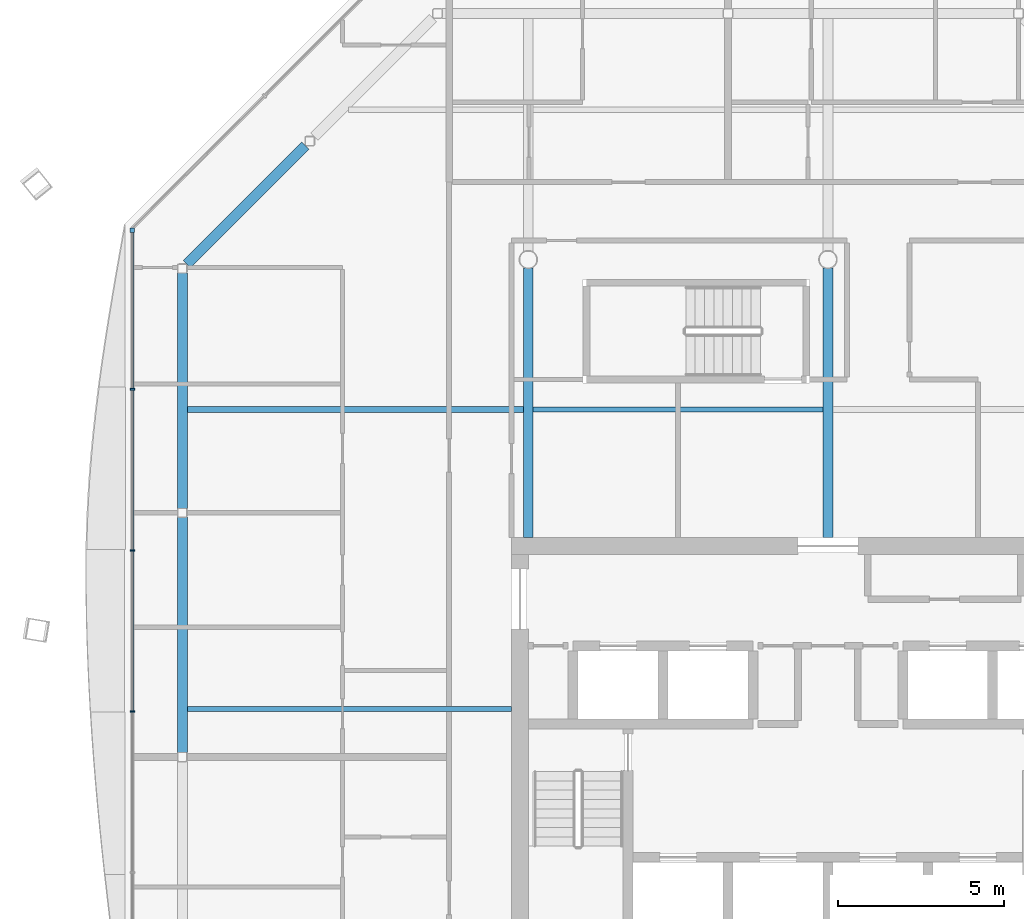
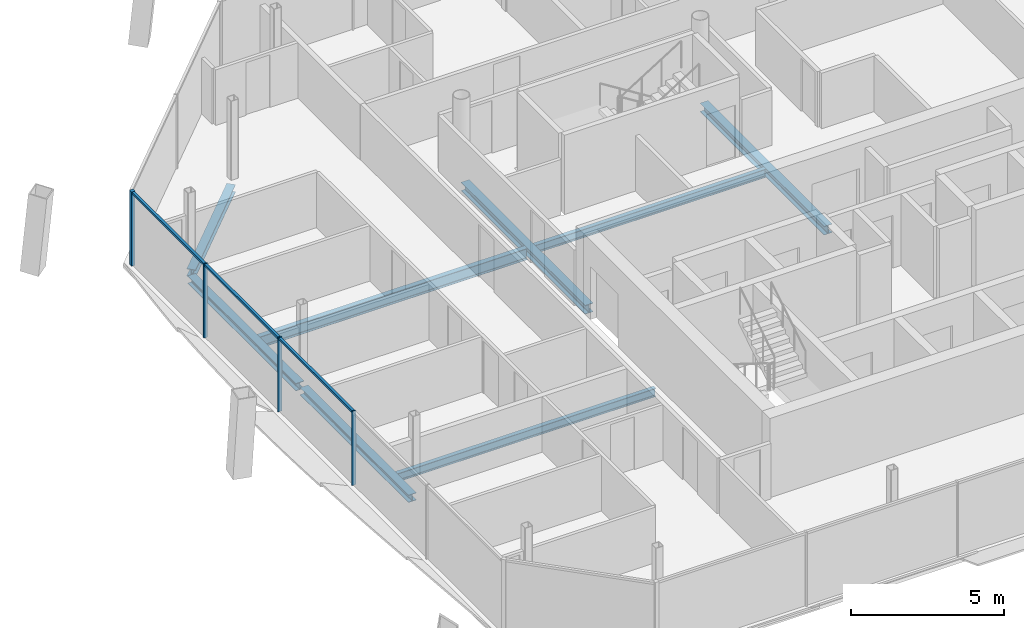
# One storey, part 5 of 15: 8 beams, 7 members, 1 element without a shape of its own.
"""IFC4 building model written with IfcOpenShell, lengths in metres."""

from ifc_helpers import new_model, si_unit, direction, frame, origin, origin_2d, place, context, subcontext, project, spatial, rectangle, i_section, extrude, material, material_profile, profile_set, type_object, element, aggregate, save


model = new_model("IFC4")

# Units and contexts
model_context = context("Model", 3, precision=1e-05, world=origin(), true_north=direction((0.0, 1.0)))
body_context = subcontext(model_context, "Body", "Model", "MODEL_VIEW")
ifc_project = project(units=[si_unit("LENGTHUNIT", "METRE"), si_unit("AREAUNIT", "SQUARE_METRE"), si_unit("VOLUMEUNIT", "CUBIC_METRE"), si_unit("PLANEANGLEUNIT", "RADIAN"), si_unit("MASSUNIT", "GRAM", prefix="KILO")], contexts=[model_context])

# Site, building, storey
site_placement = place(None, origin())
site = spatial("IfcSite", under=ifc_project, at=site_placement, CompositionType="ELEMENT")
building_placement = place(site_placement, origin())
building = spatial("IfcBuilding", under=site, at=building_placement, Name="Tskaro Facet Tower", CompositionType="ELEMENT")
storey_placement = place(building_placement, frame((0.0, 0.0, 239.25)))
storey = spatial("IfcBuildingStorey", under=building, at=storey_placement, Name="L62", CompositionType="ELEMENT", Elevation=239.25)

# Curtain wall, members
ifc_material_1 = material(Name="Bronze anodised aluminium 6063-T6", Category="aluminium")
curtain_wall_type = type_object("IfcCurtainWallType", Name="Bronze residence curtain wall (FW3)", PredefinedType="NOTDEFINED", material=ifc_material_1)
curtain_wall_placement = place(storey_placement, origin())
curtain_wall = element("IfcCurtainWall", 1, at=curtain_wall_placement, inside=storey, type_object=curtain_wall_type, Name="FW3 west facet L62", PredefinedType="NOTDEFINED")
ifc_material_profile_1 = material_profile(ifc_material_1, rectangle(XDim=0.139892578125, YDim=0.139892578125, at=origin_2d()), Name="Corner post 140x140")
ifc_profile_set_1 = profile_set([ifc_material_profile_1], Name="Bronze anodised aluminium 6063-T6")
member_type_1 = type_object("IfcMemberType", Name="FW3 bronze corner post 140x140", PredefinedType="MULLION", material=ifc_profile_set_1)
member_1_placement = place(storey_placement, frame((-20.888916015625, 9.8779296875, 0.0), z_axis=(0.0, 0.0, 1.0), x_axis=(0.0, -1.0, 0.0)))
member_1 = element("IfcMember", 2, at=member_1_placement, type_object=member_type_1, Name="FW3 west corner post", PredefinedType="MULLION", context=body_context, shape_type="SweptSolid", body=[
    extrude(rectangle(XDim=0.139892578125, YDim=0.139892578125, at=origin_2d()), origin(), (0.0, 0.0, 1.0), 2.949951171875),
])
ifc_material_profile_2 = material_profile(ifc_material_1, rectangle(XDim=0.050048828125, YDim=0.139892578125, at=origin_2d()), Name="Mullion 50x140")
ifc_profile_set_2 = profile_set([ifc_material_profile_2], Name="Bronze anodised aluminium 6063-T6")
member_type_2 = type_object("IfcMemberType", Name="FW3 bronze mullion 50x140", PredefinedType="MULLION", material=ifc_profile_set_2)
member_2_placement = place(storey_placement, frame((-20.888916015625, 5.10791015625, 0.0), z_axis=(0.0, 0.0, 1.0), x_axis=(0.0, -1.0, 0.0)))
member_2 = element("IfcMember", 3, at=member_2_placement, type_object=member_type_2, Name="FW3 west mullion 1", PredefinedType="MULLION", context=body_context, shape_type="SweptSolid", body=[
    extrude(rectangle(XDim=0.050048828125, YDim=0.139892578125, at=origin_2d()), origin(), (0.0, 0.0, 1.0), 2.949951171875),
])
member_3_placement = place(storey_placement, frame((-20.888916015625, 0.267578125, 0.0), z_axis=(0.0, 0.0, 1.0), x_axis=(0.0, -1.0, 0.0)))
member_3 = element("IfcMember", 4, at=member_3_placement, type_object=member_type_2, Name="FW3 west mullion 2", PredefinedType="MULLION", context=body_context, shape_type="SweptSolid", body=[
    extrude(rectangle(XDim=0.050048828125, YDim=0.139892578125, at=origin_2d()), origin(), (0.0, 0.0, 1.0), 2.949951171875),
])
member_4_placement = place(storey_placement, frame((-20.888916015625, -4.572509765625, 0.0), z_axis=(0.0, 0.0, 1.0), x_axis=(0.0, -1.0, 0.0)))
member_4 = element("IfcMember", 5, at=member_4_placement, type_object=member_type_2, Name="FW3 west mullion 3", PredefinedType="MULLION", context=body_context, shape_type="SweptSolid", body=[
    extrude(rectangle(XDim=0.050048828125, YDim=0.139892578125, at=origin_2d()), origin(), (0.0, 0.0, 1.0), 2.949951171875),
])
ifc_material_profile_3 = material_profile(ifc_material_1, rectangle(XDim=0.10009765625, YDim=0.090087890625, at=origin_2d()), Name="Transom 100x90")
ifc_profile_set_3 = profile_set([ifc_material_profile_3], Name="Bronze anodised aluminium 6063-T6")
member_type_3 = type_object("IfcMemberType", Name="FW3 bronze transom 100x90", PredefinedType="USERDEFINED", material=ifc_profile_set_3)
member_5_placement = place(storey_placement, frame((-20.888916015625, 9.80810546875, 2.905029296875), z_axis=(0.0, -1.0, 0.0), x_axis=(1.0, 0.0, 0.0)))
member_5 = element("IfcMember", 6, at=member_5_placement, type_object=member_type_3, Name="FW3 west transom 1.1", ObjectType="TRANSOM", PredefinedType="USERDEFINED", context=body_context, shape_type="SweptSolid", body=[
    extrude(rectangle(XDim=0.10009765625, YDim=0.090087890625, at=origin_2d()), origin(), (0.0, 0.0, 1.0), 4.67529296875),
])
member_6_placement = place(storey_placement, frame((-20.888916015625, 5.082763671875, 2.905029296875), z_axis=(0.0, -1.0, 0.0), x_axis=(1.0, 0.0, 0.0)))
member_6 = element("IfcMember", 7, at=member_6_placement, type_object=member_type_3, Name="FW3 west transom 2.1", ObjectType="TRANSOM", PredefinedType="USERDEFINED", context=body_context, shape_type="SweptSolid", body=[
    extrude(rectangle(XDim=0.10009765625, YDim=0.090087890625, at=origin_2d()), origin(), (0.0, 0.0, 1.0), 4.790283203125),
])
member_7_placement = place(storey_placement, frame((-20.888916015625, 0.24267578125, 2.905029296875), z_axis=(0.0, -1.0, 0.0), x_axis=(1.0, 0.0, 0.0)))
member_7 = element("IfcMember", 8, at=member_7_placement, type_object=member_type_3, Name="FW3 west transom 3.1", ObjectType="TRANSOM", PredefinedType="USERDEFINED", context=body_context, shape_type="SweptSolid", body=[
    extrude(rectangle(XDim=0.10009765625, YDim=0.090087890625, at=origin_2d()), origin(), (0.0, 0.0, 1.0), 4.790283203125),
])
aggregate(curtain_wall, [member_1, member_2, member_3, member_4, member_5, member_6, member_7])

# Beams
ifc_material_2 = material(Name="Steel S355J2", Category="steel")
ifc_material_profile_4 = material_profile(ifc_material_2, i_section(OverallWidth=0.300048828125, OverallDepth=0.300048828125, WebThickness=0.010986328125, FlangeThickness=0.01904296875, FilletRadius=0.027099609375, at=origin_2d()), Name="HE 300 B")
ifc_profile_set_4 = profile_set([ifc_material_profile_4], Name="Steel S355J2")
beam_type_1 = type_object("IfcBeamType", Name="HE 300 B ring beam", PredefinedType="BEAM", material=ifc_profile_set_4)
beam_1_placement = place(storey_placement, frame((-15.69384765625, 12.422119140625, -0.2900390625), z_axis=(-0.707106781187, -0.707106781187, 0.0), x_axis=(0.707106781187, -0.707106781187, 0.0)))
element("IfcBeam", 9, at=beam_1_placement, inside=storey, type_object=beam_type_1, Name="HE 300 B EB13-5", PredefinedType="BEAM", context=body_context, shape_type="SweptSolid", body=[
    extrude(i_section(OverallWidth=0.300048828125, OverallDepth=0.300048828125, WebThickness=0.010986328125, FlangeThickness=0.01904296875, FilletRadius=0.027099609375, at=origin_2d()), origin(), (0.0, 0.0, 1.0), 5.036376953125),
])
beam_2_placement = place(storey_placement, frame((-19.39111328125, 8.594970703125, -0.2900390625), z_axis=(0.0, -1.0, 0.0), x_axis=(1.0, 0.0, 0.0)))
element("IfcBeam", 10, at=beam_2_placement, inside=storey, type_object=beam_type_1, Name="HE 300 B EB14-5", PredefinedType="BEAM", context=body_context, shape_type="SweptSolid", body=[
    extrude(i_section(OverallWidth=0.300048828125, OverallDepth=0.300048828125, WebThickness=0.010986328125, FlangeThickness=0.01904296875, FilletRadius=0.027099609375, at=origin_2d()), origin(), (0.0, 0.0, 1.0), 7.071044921875),
])
beam_3_placement = place(storey_placement, frame((-19.39111328125, 1.263916015625, -0.2900390625), z_axis=(0.0, -1.0, 0.0), x_axis=(1.0, 0.0, 0.0)))
element("IfcBeam", 11, at=beam_3_placement, inside=storey, type_object=beam_type_1, Name="HE 300 B EB15-5", PredefinedType="BEAM", context=body_context, shape_type="SweptSolid", body=[
    extrude(i_section(OverallWidth=0.300048828125, OverallDepth=0.300048828125, WebThickness=0.010986328125, FlangeThickness=0.01904296875, FilletRadius=0.027099609375, at=origin_2d()), origin(), (0.0, 0.0, 1.0), 7.07080078125),
])
ifc_material_profile_5 = material_profile(ifc_material_2, i_section(OverallWidth=0.300048828125, OverallDepth=0.35009765625, WebThickness=0.010009765625, FlangeThickness=0.017578125, FilletRadius=0.027099609375, at=origin_2d()), Name="HE 360 A")
ifc_profile_set_5 = profile_set([ifc_material_profile_5], Name="Steel S355J2")
beam_type_2 = type_object("IfcBeamType", Name="HE 360 A girder", PredefinedType="BEAM", material=ifc_profile_set_5)
for number, where, z_axis, x_axis, name in (
    (12, (-9.0, 0.64990234375, -0.31494140625), (0.0, 1.0, 0.0), (-1.0, 0.0, 0.0), "HE 360 A GB3-2-5"),
    (13, (0.0, 0.64990234375, -0.31494140625), (0.0, 1.0, 0.0), (-1.0, 0.0, 0.0), "HE 360 A GB4-2-5"),
):
    element("IfcBeam", number, at=place(storey_placement, frame(where, z_axis=z_axis, x_axis=x_axis)), inside=storey, type_object=beam_type_2, Name=name, PredefinedType="BEAM", context=body_context, shape_type="SweptSolid", body=[
        extrude(i_section(OverallWidth=0.300048828125, OverallDepth=0.35009765625, WebThickness=0.010009765625, FlangeThickness=0.017578125, FilletRadius=0.027099609375, at=origin_2d()), origin(), (0.0, 0.0, 1.0), 8.1005859375),
    ])
ifc_material_profile_6 = material_profile(ifc_material_2, i_section(OverallWidth=0.159912109375, OverallDepth=0.330078125, WebThickness=0.007568359375, FlangeThickness=0.011474609375, FilletRadius=0.01806640625, at=origin_2d()), Name="IPE 330")
ifc_profile_set_6 = profile_set([ifc_material_profile_6], Name="Steel S355J2")
beam_type_3 = type_object("IfcBeamType", Name="IPE 330 secondary beam", PredefinedType="BEAM", material=ifc_profile_set_6)
beam_4_placement = place(storey_placement, frame((-19.240966796875, -4.5, -0.304931640625), z_axis=(1.0, 0.0, 0.0), x_axis=(0.0, 1.0, 0.0)))
element("IfcBeam", 14, at=beam_4_placement, inside=storey, type_object=beam_type_3, Name="IPE 330 SB3a-1-5", PredefinedType="BEAM", context=body_context, shape_type="SweptSolid", body=[
    extrude(i_section(OverallWidth=0.159912109375, OverallDepth=0.330078125, WebThickness=0.007568359375, FlangeThickness=0.011474609375, FilletRadius=0.01806640625, at=origin_2d()), origin(), (0.0, 0.0, 1.0), 9.740966796875),
])
beam_5_placement = place(storey_placement, frame((-8.85009765625, 4.5, -0.304931640625), z_axis=(1.0, 0.0, 0.0), x_axis=(0.0, 1.0, 0.0)))
element("IfcBeam", 15, at=beam_5_placement, inside=storey, type_object=beam_type_3, Name="IPE 330 SB4a-2-5", PredefinedType="BEAM", context=body_context, shape_type="SweptSolid", body=[
    extrude(i_section(OverallWidth=0.159912109375, OverallDepth=0.330078125, WebThickness=0.007568359375, FlangeThickness=0.011474609375, FilletRadius=0.01806640625, at=origin_2d()), origin(), (0.0, 0.0, 1.0), 8.7001953125),
])
ifc_material_profile_7 = material_profile(ifc_material_2, i_section(OverallWidth=0.18994140625, OverallDepth=0.449951171875, WebThickness=0.009521484375, FlangeThickness=0.0146484375, FilletRadius=0.02099609375, at=origin_2d()), Name="IPE 450")
ifc_profile_set_7 = profile_set([ifc_material_profile_7], Name="Steel S355J2")
beam_type_4 = type_object("IfcBeamType", Name="IPE 450 long secondary beam", PredefinedType="BEAM", material=ifc_profile_set_7)
beam_6_placement = place(storey_placement, frame((-19.240966796875, 4.5, -0.364990234375), z_axis=(1.0, 0.0, 0.0), x_axis=(0.0, 1.0, 0.0)))
element("IfcBeam", 16, at=beam_6_placement, inside=storey, type_object=beam_type_4, Name="IPE 450 LSB4a-1-5", PredefinedType="BEAM", context=body_context, shape_type="SweptSolid", body=[
    extrude(i_section(OverallWidth=0.18994140625, OverallDepth=0.449951171875, WebThickness=0.009521484375, FlangeThickness=0.0146484375, FilletRadius=0.02099609375, at=origin_2d()), origin(), (0.0, 0.0, 1.0), 10.091064453125),
])

save(model, "model.ifc")
